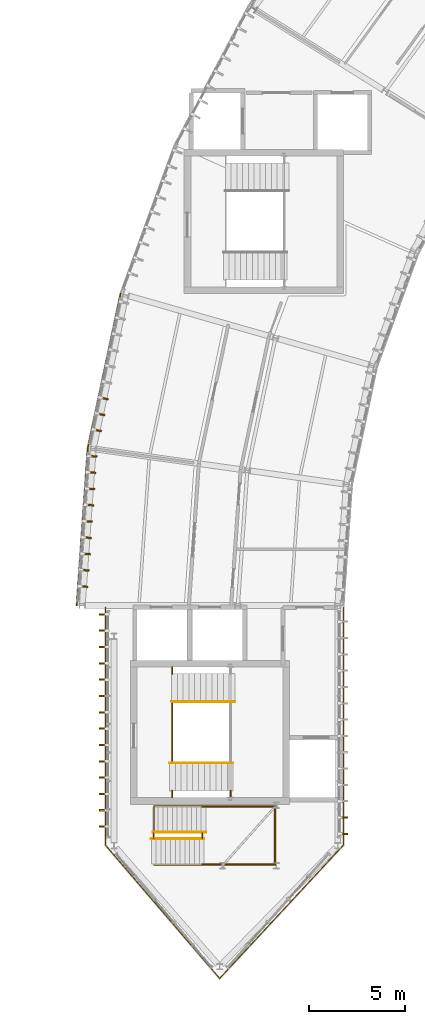
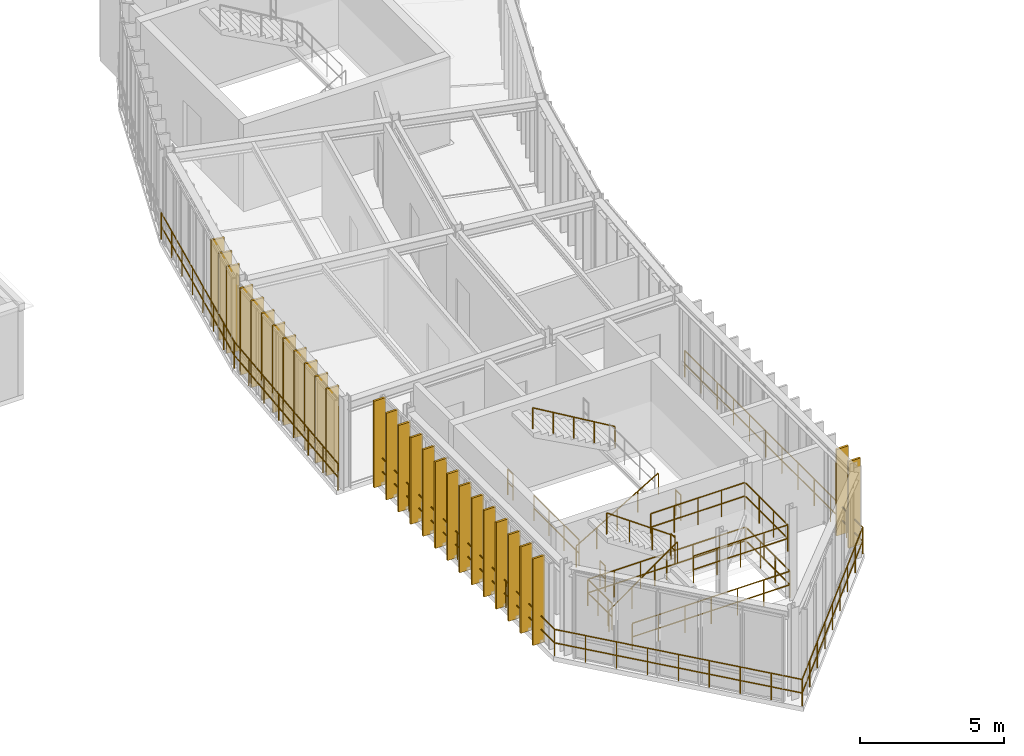
# One storey, part 36 of 42: 28 coverings, 16 railings.
"""IFC4 building model written with IfcOpenShell, lengths in metres."""

from ifc_helpers import new_model, si_unit, direction, frame, origin, origin_2d, place, context, subcontext, project, spatial, rectangle, circle, extrude, material, layer, layer_set, type_object, element, save


model = new_model("IFC4")

# Units and contexts
model_context = context("Model", 3, precision=1e-05, world=origin(), true_north=direction((0.0, 1.0)))
body_context = subcontext(model_context, "Body", "Model", "MODEL_VIEW")
ifc_project = project(units=[si_unit("LENGTHUNIT", "METRE"), si_unit("AREAUNIT", "SQUARE_METRE"), si_unit("VOLUMEUNIT", "CUBIC_METRE"), si_unit("PLANEANGLEUNIT", "RADIAN"), si_unit("MASSUNIT", "GRAM", prefix="KILO"), si_unit("THERMODYNAMICTEMPERATUREUNIT", "KELVIN"), si_unit("POWERUNIT", "WATT")], contexts=[model_context])

# Site, building, storey
site_placement = place(None, origin())
site = spatial("IfcSite", under=ifc_project, at=site_placement, CompositionType="ELEMENT")
building_placement = place(site_placement, origin())
building = spatial("IfcBuilding", under=site, at=building_placement, Name="Solvatero Civic Police Headquarters", CompositionType="ELEMENT")
storey_placement = place(building_placement, frame((0.0, 0.0, 21.60009765625)))
storey = spatial("IfcBuildingStorey", under=building, at=storey_placement, Name="L05", CompositionType="ELEMENT", Elevation=21.60009765625)

# Coverings
ifc_material_1 = material(Name="Anodized Bronze Aluminium", Category="aluminium")
ifc_layer = layer(ifc_material_1, 0.080078125)
ifc_layer_set = layer_set([ifc_layer], Name="Anodized Bronze Aluminium")
covering_type = type_object("IfcCoveringType", Name="COV-FIN-480", PredefinedType="CLADDING", material=ifc_layer_set)
for number, where, z_axis, x_axis, name in (
    (1, (36.45947265625, 36.790283203125, -0.02001953125), (0.0, 0.0, 1.0), (-0.207911690818, -0.978147600734, 0.0), "Vertical Brise-Soleil Fin 1164"),
    (2, (36.28271484375, 35.958984375, -0.02001953125), (0.0, 0.0, 1.0), (-0.207911690818, -0.978147600734, 0.0), "Vertical Brise-Soleil Fin 1165"),
    (3, (36.10595703125, 35.12744140625, -0.02001953125), (0.0, 0.0, 1.0), (-0.207911690818, -0.978147600734, 0.0), "Vertical Brise-Soleil Fin 1166"),
    (4, (35.8740234375, 33.77490234375, -0.02001953125), (0.0, 0.0, 1.0), (-0.069739062956, -0.997565267588, 0.0), "Vertical Brise-Soleil Fin 1174"),
    (5, (35.814697265625, 32.927001953125, -0.02001953125), (0.0, 0.0, 1.0), (-0.069739062956, -0.997565267588, 0.0), "Vertical Brise-Soleil Fin 1175"),
    (6, (35.755615234375, 32.0791015625, -0.02001953125), (0.0, 0.0, 1.0), (-0.069739062956, -0.997565267588, 0.0), "Vertical Brise-Soleil Fin 1176"),
    (7, (35.6962890625, 31.231201171875, -0.02001953125), (0.0, 0.0, 1.0), (-0.069739062956, -0.997565267588, 0.0), "Vertical Brise-Soleil Fin 1177"),
    (8, (35.636962890625, 30.383056640625, -0.02001953125), (0.0, 0.0, 1.0), (-0.069739062956, -0.997565267588, 0.0), "Vertical Brise-Soleil Fin 1178"),
    (9, (35.57763671875, 29.53515625, -0.02001953125), (0.0, 0.0, 1.0), (-0.069739062956, -0.997565267588, 0.0), "Vertical Brise-Soleil Fin 1179"),
    (10, (35.518310546875, 28.687255859375, -0.02001953125), (0.0, 0.0, 1.0), (-0.069739062956, -0.997565267588, 0.0), "Vertical Brise-Soleil Fin 1180"),
    (11, (35.458984375, 27.83935546875, -0.02001953125), (0.0, 0.0, 1.0), (-0.069739062956, -0.997565267588, 0.0), "Vertical Brise-Soleil Fin 1181"),
    (12, (35.39990234375, 26.991455078125, -0.02001953125), (0.0, 0.0, 1.0), (-0.069739062956, -0.997565267588, 0.0), "Vertical Brise-Soleil Fin 1182"),
    (13, (36.469970703125, 25.5400390625, -0.02001953125), (0.0, 0.0, 1.0), (0.0, -1.0, 0.0), "Vertical Brise-Soleil Fin 1190"),
    (14, (36.469970703125, 24.68994140625, -0.02001953125), (0.0, 0.0, 1.0), (0.0, -1.0, 0.0), "Vertical Brise-Soleil Fin 1191"),
    (15, (36.469970703125, 23.840087890625, -0.02001953125), (0.0, 0.0, 1.0), (0.0, -1.0, 0.0), "Vertical Brise-Soleil Fin 1192"),
    (16, (36.469970703125, 22.989990234375, -0.02001953125), (0.0, 0.0, 1.0), (0.0, -1.0, 0.0), "Vertical Brise-Soleil Fin 1193"),
    (17, (36.469970703125, 22.139892578125, -0.02001953125), (0.0, 0.0, 1.0), (0.0, -1.0, 0.0), "Vertical Brise-Soleil Fin 1194"),
    (18, (36.469970703125, 21.2900390625, -0.02001953125), (0.0, 0.0, 1.0), (0.0, -1.0, 0.0), "Vertical Brise-Soleil Fin 1195"),
    (19, (36.469970703125, 20.43994140625, -0.02001953125), (0.0, 0.0, 1.0), (0.0, -1.0, 0.0), "Vertical Brise-Soleil Fin 1196"),
    (20, (36.469970703125, 19.590087890625, -0.02001953125), (0.0, 0.0, 1.0), (0.0, -1.0, 0.0), "Vertical Brise-Soleil Fin 1197"),
    (21, (36.469970703125, 18.739990234375, -0.02001953125), (0.0, 0.0, 1.0), (0.0, -1.0, 0.0), "Vertical Brise-Soleil Fin 1198"),
    (22, (36.469970703125, 17.889892578125, -0.02001953125), (0.0, 0.0, 1.0), (0.0, -1.0, 0.0), "Vertical Brise-Soleil Fin 1199"),
    (23, (36.469970703125, 17.0400390625, -0.02001953125), (0.0, 0.0, 1.0), (0.0, -1.0, 0.0), "Vertical Brise-Soleil Fin 1200"),
    (24, (36.469970703125, 16.18994140625, -0.02001953125), (0.0, 0.0, 1.0), (0.0, -1.0, 0.0), "Vertical Brise-Soleil Fin 1201"),
    (25, (36.469970703125, 15.340087890625, -0.02001953125), (0.0, 0.0, 1.0), (0.0, -1.0, 0.0), "Vertical Brise-Soleil Fin 1202"),
    (26, (36.469970703125, 14.489990234375, -0.02001953125), (0.0, 0.0, 1.0), (0.0, -1.0, 0.0), "Vertical Brise-Soleil Fin 1203"),
    (27, (48.929931640625, 14.110107421875, -0.02001953125), (0.0, 0.0, 1.0), (0.0, 1.0, 0.0), "Vertical Brise-Soleil Fin 1204"),
    (28, (48.929931640625, 14.9599609375, -0.02001953125), (0.0, 0.0, 1.0), (0.0, 1.0, 0.0), "Vertical Brise-Soleil Fin 1205"),
):
    element("IfcCovering", number, at=place(storey_placement, frame(where, z_axis=z_axis, x_axis=x_axis)), inside=storey, type_object=covering_type, Name=name, PredefinedType="CLADDING", context=body_context, shape_type="SweptSolid", body=[
        extrude(rectangle(XDim=0.080078125, YDim=0.47998046875, at=origin_2d()), origin(), (0.0, 0.0, 1.0), 3.679931640625),
    ])

# Railings
ifc_material_2 = material(Name="Anodized Bronze and Laminated Glass", Category="glass")
railing_type_1 = type_object("IfcRailingType", Name="RL-BAL-115", PredefinedType="BALUSTRADE", material=ifc_material_2)
railing_1_placement = place(storey_placement, frame((39.080078125, 12.47998046875, 0.0)))
element("IfcRailing", 29, at=railing_1_placement, inside=storey, type_object=railing_type_1, Name="Prow Stair Well Balustrade L05 SE", PredefinedType="BALUSTRADE", context=body_context, shape_type="SweptSolid", body=[
    extrude(circle(Radius=0.02392578125, at=origin_2d()), frame((0.0, 0.0, 1.1259765625), z_axis=(1.0, 0.0, 0.0), x_axis=(0.0, 1.0, 0.0)), (0.0, 0.0, 1.0), 6.33984375),
    extrude(circle(Radius=0.02392578125, at=origin_2d()), frame((0.0, 0.0, 0.55078125), z_axis=(1.0, 0.0, 0.0), x_axis=(0.0, 1.0, 0.0)), (0.0, 0.0, 1.0), 6.33984375),
    extrude(circle(Radius=0.02392578125, at=origin_2d()), frame((6.33984375, 0.0, 1.1259765625), z_axis=(0.0, 1.0, 0.0), x_axis=(-1.0, 0.0, 0.0)), (0.0, 0.0, 1.0), 3.090087890625),
    extrude(circle(Radius=0.02392578125, at=origin_2d()), frame((6.33984375, 0.0, 0.55078125), z_axis=(0.0, 1.0, 0.0), x_axis=(-1.0, 0.0, 0.0)), (0.0, 0.0, 1.0), 3.090087890625),
    extrude(circle(Radius=0.02099609375, at=origin_2d()), origin(), (0.0, 0.0, 1.0), 1.101806640625),
    extrude(circle(Radius=0.02099609375, at=origin_2d()), frame((1.056640625, 0.0, 0.0)), (0.0, 0.0, 1.0), 1.101806640625),
    extrude(circle(Radius=0.02099609375, at=origin_2d()), frame((2.11328125, 0.0, 0.0)), (0.0, 0.0, 1.0), 1.101806640625),
    extrude(circle(Radius=0.02099609375, at=origin_2d()), frame((3.169921875, 0.0, 0.0)), (0.0, 0.0, 1.0), 1.101806640625),
    extrude(circle(Radius=0.02099609375, at=origin_2d()), frame((4.2265625, 0.0, 0.0)), (0.0, 0.0, 1.0), 1.101806640625),
    extrude(circle(Radius=0.02099609375, at=origin_2d()), frame((5.283203125, 0.0, 0.0)), (0.0, 0.0, 1.0), 1.101806640625),
    extrude(circle(Radius=0.02099609375, at=origin_2d()), frame((6.33984375, 0.0, 0.0)), (0.0, 0.0, 1.0), 1.101806640625),
    extrude(circle(Radius=0.02099609375, at=origin_2d()), frame((6.33984375, 1.030029296875, 0.0)), (0.0, 0.0, 1.0), 1.101806640625),
    extrude(circle(Radius=0.02099609375, at=origin_2d()), frame((6.33984375, 2.06005859375, 0.0)), (0.0, 0.0, 1.0), 1.101806640625),
    extrude(circle(Radius=0.02099609375, at=origin_2d()), frame((6.33984375, 3.090087890625, 0.0)), (0.0, 0.0, 1.0), 1.101806640625),
])
railing_2_placement = place(storey_placement, frame((45.419921875, 15.570068359375, 0.0)))
element("IfcRailing", 30, at=railing_2_placement, inside=storey, type_object=railing_type_1, Name="Prow Stair Well Balustrade L05 NW", PredefinedType="BALUSTRADE", context=body_context, shape_type="SweptSolid", body=[
    extrude(circle(Radius=0.02392578125, at=origin_2d()), frame((0.0, 0.0, 1.1259765625), z_axis=(-1.0, 0.0, 0.0), x_axis=(0.0, -1.0, 0.0)), (0.0, 0.0, 1.0), 6.33984375),
    extrude(circle(Radius=0.02392578125, at=origin_2d()), frame((0.0, 0.0, 0.55078125), z_axis=(-1.0, 0.0, 0.0), x_axis=(0.0, -1.0, 0.0)), (0.0, 0.0, 1.0), 6.33984375),
    extrude(circle(Radius=0.02392578125, at=origin_2d()), frame((-6.33984375, 0.0, 1.1259765625), z_axis=(0.0, -1.0, 0.0), x_axis=(1.0, 0.0, 0.0)), (0.0, 0.0, 1.0), 1.41015625),
    extrude(circle(Radius=0.02392578125, at=origin_2d()), frame((-6.33984375, 0.0, 0.55078125), z_axis=(0.0, -1.0, 0.0), x_axis=(1.0, 0.0, 0.0)), (0.0, 0.0, 1.0), 1.41015625),
    extrude(circle(Radius=0.02099609375, at=origin_2d()), origin(), (0.0, 0.0, 1.0), 1.101806640625),
    extrude(circle(Radius=0.02099609375, at=origin_2d()), frame((-1.056640625, 0.0, 0.0)), (0.0, 0.0, 1.0), 1.101806640625),
    extrude(circle(Radius=0.02099609375, at=origin_2d()), frame((-2.11328125, 0.0, 0.0)), (0.0, 0.0, 1.0), 1.101806640625),
    extrude(circle(Radius=0.02099609375, at=origin_2d()), frame((-3.169921875, 0.0, 0.0)), (0.0, 0.0, 1.0), 1.101806640625),
    extrude(circle(Radius=0.02099609375, at=origin_2d()), frame((-4.2265625, 0.0, 0.0)), (0.0, 0.0, 1.0), 1.101806640625),
    extrude(circle(Radius=0.02099609375, at=origin_2d()), frame((-5.283203125, 0.0, 0.0)), (0.0, 0.0, 1.0), 1.101806640625),
    extrude(circle(Radius=0.02099609375, at=origin_2d()), frame((-6.33984375, 0.0, 0.0)), (0.0, 0.0, 1.0), 1.101806640625),
    extrude(circle(Radius=0.02099609375, at=origin_2d()), frame((-6.33984375, -0.705078125, 0.0)), (0.0, 0.0, 1.0), 1.101806640625),
    extrude(circle(Radius=0.02099609375, at=origin_2d()), frame((-6.33984375, -1.41015625, 0.0)), (0.0, 0.0, 1.0), 1.101806640625),
])
railing_3_placement = place(storey_placement, frame((39.080078125, 13.8798828125, 0.0)))
element("IfcRailing", 31, at=railing_3_placement, inside=storey, type_object=railing_type_1, Name="Prow Stair Well West Slot L05", PredefinedType="BALUSTRADE", context=body_context, shape_type="SweptSolid", body=[
    extrude(circle(Radius=0.02392578125, at=origin_2d()), frame((0.0, 0.0, 1.1259765625), z_axis=(0.0, 1.0, 0.0), x_axis=(-1.0, 0.0, 0.0)), (0.0, 0.0, 1.0), 0.280029296875),
    extrude(circle(Radius=0.02392578125, at=origin_2d()), frame((0.0, 0.0, 0.55078125), z_axis=(0.0, 1.0, 0.0), x_axis=(-1.0, 0.0, 0.0)), (0.0, 0.0, 1.0), 0.280029296875),
    extrude(circle(Radius=0.02099609375, at=origin_2d()), origin(), (0.0, 0.0, 1.0), 1.101806640625),
    extrude(circle(Radius=0.02099609375, at=origin_2d()), frame((0.0, 0.280029296875, 0.0)), (0.0, 0.0, 1.0), 1.101806640625),
])
railing_4_placement = place(storey_placement, frame((41.570068359375, 12.5400390625, 1.949951171875)))
element("IfcRailing", 32, at=railing_4_placement, inside=storey, type_object=railing_type_1, Name="ST-PRW L05 Half-Landing Balustrade", PredefinedType="BALUSTRADE", context=body_context, shape_type="SweptSolid", body=[
    extrude(circle(Radius=0.02392578125, at=origin_2d()), frame((0.0, 0.0, 1.1259765625), z_axis=(1.0, 0.0, 0.0), x_axis=(0.0, 1.0, 0.0)), (0.0, 0.0, 1.0), 3.7900390625),
    extrude(circle(Radius=0.02392578125, at=origin_2d()), frame((0.0, 0.0, 0.55078125), z_axis=(1.0, 0.0, 0.0), x_axis=(0.0, 1.0, 0.0)), (0.0, 0.0, 1.0), 3.7900390625),
    extrude(circle(Radius=0.02392578125, at=origin_2d()), frame((3.7900390625, 0.0, 1.1259765625), z_axis=(0.0, 1.0, 0.0), x_axis=(-1.0, 0.0, 0.0)), (0.0, 0.0, 1.0), 2.969970703125),
    extrude(circle(Radius=0.02392578125, at=origin_2d()), frame((3.7900390625, 0.0, 0.55078125), z_axis=(0.0, 1.0, 0.0), x_axis=(-1.0, 0.0, 0.0)), (0.0, 0.0, 1.0), 2.969970703125),
    extrude(circle(Radius=0.02392578125, at=origin_2d()), frame((3.7900390625, 2.969970703125, 1.1259765625), z_axis=(-1.0, 0.0, 0.0), x_axis=(0.0, -1.0, 0.0)), (0.0, 0.0, 1.0), 3.7900390625),
    extrude(circle(Radius=0.02392578125, at=origin_2d()), frame((3.7900390625, 2.969970703125, 0.55078125), z_axis=(-1.0, 0.0, 0.0), x_axis=(0.0, -1.0, 0.0)), (0.0, 0.0, 1.0), 3.7900390625),
    extrude(circle(Radius=0.02099609375, at=origin_2d()), origin(), (0.0, 0.0, 1.0), 1.101806640625),
    extrude(circle(Radius=0.02099609375, at=origin_2d()), frame((0.947509765625, 0.0, 0.0)), (0.0, 0.0, 1.0), 1.101806640625),
    extrude(circle(Radius=0.02099609375, at=origin_2d()), frame((1.89501953125, 0.0, 0.0)), (0.0, 0.0, 1.0), 1.101806640625),
    extrude(circle(Radius=0.02099609375, at=origin_2d()), frame((2.842529296875, 0.0, 0.0)), (0.0, 0.0, 1.0), 1.101806640625),
    extrude(circle(Radius=0.02099609375, at=origin_2d()), frame((3.7900390625, 0.0, 0.0)), (0.0, 0.0, 1.0), 1.101806640625),
    extrude(circle(Radius=0.02099609375, at=origin_2d()), frame((3.7900390625, 0.989990234375, 0.0)), (0.0, 0.0, 1.0), 1.101806640625),
    extrude(circle(Radius=0.02099609375, at=origin_2d()), frame((3.7900390625, 1.97998046875, 0.0)), (0.0, 0.0, 1.0), 1.101806640625),
    extrude(circle(Radius=0.02099609375, at=origin_2d()), frame((3.7900390625, 2.969970703125, 0.0)), (0.0, 0.0, 1.0), 1.101806640625),
    extrude(circle(Radius=0.02099609375, at=origin_2d()), frame((2.842529296875, 2.969970703125, 0.0)), (0.0, 0.0, 1.0), 1.101806640625),
    extrude(circle(Radius=0.02099609375, at=origin_2d()), frame((1.89501953125, 2.969970703125, 0.0)), (0.0, 0.0, 1.0), 1.101806640625),
    extrude(circle(Radius=0.02099609375, at=origin_2d()), frame((0.947509765625, 2.969970703125, 0.0)), (0.0, 0.0, 1.0), 1.101806640625),
    extrude(circle(Radius=0.02099609375, at=origin_2d()), frame((0.0, 2.969970703125, 0.0)), (0.0, 0.0, 1.0), 1.101806640625),
])
railing_5_placement = place(storey_placement, frame((36.56005859375, 25.89990234375, 0.0)))
element("IfcRailing", 33, at=railing_5_placement, inside=storey, type_object=railing_type_1, Name="Glazed Facade Sill Balustrade RL-L05-PROW-PERIM", PredefinedType="BALUSTRADE", context=body_context, shape_type="SweptSolid", body=[
    extrude(circle(Radius=0.02392578125, at=origin_2d()), frame((0.0, 0.0, 1.1259765625), z_axis=(0.0, -1.0, 0.0), x_axis=(1.0, 0.0, 0.0)), (0.0, 0.0, 1.0), 12.3798828125),
    extrude(circle(Radius=0.02392578125, at=origin_2d()), frame((0.0, 0.0, 0.55078125), z_axis=(0.0, -1.0, 0.0), x_axis=(1.0, 0.0, 0.0)), (0.0, 0.0, 1.0), 12.3798828125),
    extrude(circle(Radius=0.02392578125, at=origin_2d()), frame((0.0, -12.3798828125, 1.1259765625), z_axis=(0.65024976551, -0.759720502852, 0.0), x_axis=(0.759720502852, 0.65024976551, 0.0)), (0.0, 0.0, 1.0), 9.134765625),
    extrude(circle(Radius=0.02392578125, at=origin_2d()), frame((0.0, -12.3798828125, 0.55078125), z_axis=(0.65024976551, -0.759720502852, 0.0), x_axis=(0.759720502852, 0.65024976551, 0.0)), (0.0, 0.0, 1.0), 9.134765625),
    extrude(circle(Radius=0.02392578125, at=origin_2d()), frame((5.93994140625, -19.31982421875, 1.1259765625), z_axis=(0.680207746239, 0.733019387163, 0.0), x_axis=(-0.733019387163, 0.680207746239, 0.0)), (0.0, 0.0, 1.0), 9.467529296875),
    extrude(circle(Radius=0.02392578125, at=origin_2d()), frame((5.93994140625, -19.31982421875, 0.55078125), z_axis=(0.680207746239, 0.733019387163, 0.0), x_axis=(-0.733019387163, 0.680207746239, 0.0)), (0.0, 0.0, 1.0), 9.467529296875),
    extrude(circle(Radius=0.02392578125, at=origin_2d()), frame((12.3798828125, -12.3798828125, 1.1259765625), z_axis=(0.0, 1.0, 0.0), x_axis=(-1.0, 0.0, 0.0)), (0.0, 0.0, 1.0), 12.3798828125),
    extrude(circle(Radius=0.02392578125, at=origin_2d()), frame((12.3798828125, -12.3798828125, 0.55078125), z_axis=(0.0, 1.0, 0.0), x_axis=(-1.0, 0.0, 0.0)), (0.0, 0.0, 1.0), 12.3798828125),
    extrude(circle(Radius=0.02099609375, at=origin_2d()), origin(), (0.0, 0.0, 1.0), 1.101806640625),
    extrude(circle(Radius=0.02099609375, at=origin_2d()), frame((0.0, -1.12548828125, 0.0)), (0.0, 0.0, 1.0), 1.101806640625),
    extrude(circle(Radius=0.02099609375, at=origin_2d()), frame((0.0, -2.2509765625, 0.0)), (0.0, 0.0, 1.0), 1.101806640625),
    extrude(circle(Radius=0.02099609375, at=origin_2d()), frame((0.0, -3.376220703125, 0.0)), (0.0, 0.0, 1.0), 1.101806640625),
    extrude(circle(Radius=0.02099609375, at=origin_2d()), frame((0.0, -4.501708984375, 0.0)), (0.0, 0.0, 1.0), 1.101806640625),
    extrude(circle(Radius=0.02099609375, at=origin_2d()), frame((0.0, -5.627197265625, 0.0)), (0.0, 0.0, 1.0), 1.101806640625),
    extrude(circle(Radius=0.02099609375, at=origin_2d()), frame((0.0, -6.752685546875, 0.0)), (0.0, 0.0, 1.0), 1.101806640625),
    extrude(circle(Radius=0.02099609375, at=origin_2d()), frame((0.0, -7.878173828125, 0.0)), (0.0, 0.0, 1.0), 1.101806640625),
    extrude(circle(Radius=0.02099609375, at=origin_2d()), frame((0.0, -9.003662109375, 0.0)), (0.0, 0.0, 1.0), 1.101806640625),
    extrude(circle(Radius=0.02099609375, at=origin_2d()), frame((0.0, -10.12890625, 0.0)), (0.0, 0.0, 1.0), 1.101806640625),
    extrude(circle(Radius=0.02099609375, at=origin_2d()), frame((0.0, -11.25439453125, 0.0)), (0.0, 0.0, 1.0), 1.101806640625),
    extrude(circle(Radius=0.02099609375, at=origin_2d()), frame((0.0, -12.3798828125, 0.0)), (0.0, 0.0, 1.0), 1.101806640625),
    extrude(circle(Radius=0.02099609375, at=origin_2d()), frame((0.742431640625, -13.247314453125, 0.0)), (0.0, 0.0, 1.0), 1.101806640625),
    extrude(circle(Radius=0.02099609375, at=origin_2d()), frame((1.48486328125, -14.11474609375, 0.0)), (0.0, 0.0, 1.0), 1.101806640625),
    extrude(circle(Radius=0.02099609375, at=origin_2d()), frame((2.2275390625, -14.982421875, 0.0)), (0.0, 0.0, 1.0), 1.101806640625),
    extrude(circle(Radius=0.02099609375, at=origin_2d()), frame((2.969970703125, -15.849853515625, 0.0)), (0.0, 0.0, 1.0), 1.101806640625),
    extrude(circle(Radius=0.02099609375, at=origin_2d()), frame((3.71240234375, -16.71728515625, 0.0)), (0.0, 0.0, 1.0), 1.101806640625),
    extrude(circle(Radius=0.02099609375, at=origin_2d()), frame((4.455078125, -17.5849609375, 0.0)), (0.0, 0.0, 1.0), 1.101806640625),
    extrude(circle(Radius=0.02099609375, at=origin_2d()), frame((5.197509765625, -18.452392578125, 0.0)), (0.0, 0.0, 1.0), 1.101806640625),
    extrude(circle(Radius=0.02099609375, at=origin_2d()), frame((5.93994140625, -19.31982421875, 0.0)), (0.0, 0.0, 1.0), 1.101806640625),
    extrude(circle(Radius=0.02099609375, at=origin_2d()), frame((6.744873046875, -18.452392578125, 0.0)), (0.0, 0.0, 1.0), 1.101806640625),
    extrude(circle(Radius=0.02099609375, at=origin_2d()), frame((7.5498046875, -17.5849609375, 0.0)), (0.0, 0.0, 1.0), 1.101806640625),
    extrude(circle(Radius=0.02099609375, at=origin_2d()), frame((8.35498046875, -16.71728515625, 0.0)), (0.0, 0.0, 1.0), 1.101806640625),
    extrude(circle(Radius=0.02099609375, at=origin_2d()), frame((9.159912109375, -15.849853515625, 0.0)), (0.0, 0.0, 1.0), 1.101806640625),
    extrude(circle(Radius=0.02099609375, at=origin_2d()), frame((9.96484375, -14.982421875, 0.0)), (0.0, 0.0, 1.0), 1.101806640625),
    extrude(circle(Radius=0.02099609375, at=origin_2d()), frame((10.77001953125, -14.11474609375, 0.0)), (0.0, 0.0, 1.0), 1.101806640625),
    extrude(circle(Radius=0.02099609375, at=origin_2d()), frame((11.574951171875, -13.247314453125, 0.0)), (0.0, 0.0, 1.0), 1.101806640625),
    extrude(circle(Radius=0.02099609375, at=origin_2d()), frame((12.3798828125, -12.3798828125, 0.0)), (0.0, 0.0, 1.0), 1.101806640625),
    extrude(circle(Radius=0.02099609375, at=origin_2d()), frame((12.3798828125, -11.25439453125, 0.0)), (0.0, 0.0, 1.0), 1.101806640625),
    extrude(circle(Radius=0.02099609375, at=origin_2d()), frame((12.3798828125, -10.12890625, 0.0)), (0.0, 0.0, 1.0), 1.101806640625),
    extrude(circle(Radius=0.02099609375, at=origin_2d()), frame((12.3798828125, -9.003662109375, 0.0)), (0.0, 0.0, 1.0), 1.101806640625),
    extrude(circle(Radius=0.02099609375, at=origin_2d()), frame((12.3798828125, -7.878173828125, 0.0)), (0.0, 0.0, 1.0), 1.101806640625),
    extrude(circle(Radius=0.02099609375, at=origin_2d()), frame((12.3798828125, -6.752685546875, 0.0)), (0.0, 0.0, 1.0), 1.101806640625),
    extrude(circle(Radius=0.02099609375, at=origin_2d()), frame((12.3798828125, -5.627197265625, 0.0)), (0.0, 0.0, 1.0), 1.101806640625),
    extrude(circle(Radius=0.02099609375, at=origin_2d()), frame((12.3798828125, -4.501708984375, 0.0)), (0.0, 0.0, 1.0), 1.101806640625),
    extrude(circle(Radius=0.02099609375, at=origin_2d()), frame((12.3798828125, -3.376220703125, 0.0)), (0.0, 0.0, 1.0), 1.101806640625),
    extrude(circle(Radius=0.02099609375, at=origin_2d()), frame((12.3798828125, -2.2509765625, 0.0)), (0.0, 0.0, 1.0), 1.101806640625),
    extrude(circle(Radius=0.02099609375, at=origin_2d()), frame((12.3798828125, -1.12548828125, 0.0)), (0.0, 0.0, 1.0), 1.101806640625),
    extrude(circle(Radius=0.02099609375, at=origin_2d()), frame((12.3798828125, 0.0, 0.0)), (0.0, 0.0, 1.0), 1.101806640625),
])
railing_6_placement = place(storey_placement, frame((37.34326171875, 42.24609375, 0.0)))
element("IfcRailing", 34, at=railing_6_placement, inside=storey, type_object=railing_type_1, Name="Glazed Facade Sill Balustrade RL-L05-ARCOUT-B11", PredefinedType="BALUSTRADE", context=body_context, shape_type="SweptSolid", body=[
    extrude(circle(Radius=0.02392578125, at=origin_2d()), frame((0.0, 0.0, 1.1259765625), z_axis=(-0.207920896775, -0.978145643902, 0.0), x_axis=(0.978145643902, -0.207920896775, 0.0)), (0.0, 0.0, 1.0), 8.222900390625),
    extrude(circle(Radius=0.02392578125, at=origin_2d()), frame((0.0, 0.0, 0.55078125), z_axis=(-0.207920896775, -0.978145643902, 0.0), x_axis=(0.978145643902, -0.207920896775, 0.0)), (0.0, 0.0, 1.0), 8.222900390625),
    extrude(circle(Radius=0.02099609375, at=origin_2d()), origin(), (0.0, 0.0, 1.0), 1.101806640625),
    extrude(circle(Radius=0.02099609375, at=origin_2d()), frame((-0.244140625, -1.14892578125, 0.0)), (0.0, 0.0, 1.0), 1.101806640625),
    extrude(circle(Radius=0.02099609375, at=origin_2d()), frame((-0.488525390625, -2.298095703125, 0.0)), (0.0, 0.0, 1.0), 1.101806640625),
    extrude(circle(Radius=0.02099609375, at=origin_2d()), frame((-0.732666015625, -3.447021484375, 0.0)), (0.0, 0.0, 1.0), 1.101806640625),
    extrude(circle(Radius=0.02099609375, at=origin_2d()), frame((-0.97705078125, -4.59619140625, 0.0)), (0.0, 0.0, 1.0), 1.101806640625),
    extrude(circle(Radius=0.02099609375, at=origin_2d()), frame((-1.22119140625, -5.7451171875, 0.0)), (0.0, 0.0, 1.0), 1.101806640625),
    extrude(circle(Radius=0.02099609375, at=origin_2d()), frame((-1.465576171875, -6.894287109375, 0.0)), (0.0, 0.0, 1.0), 1.101806640625),
    extrude(circle(Radius=0.02099609375, at=origin_2d()), frame((-1.709716796875, -8.043212890625, 0.0)), (0.0, 0.0, 1.0), 1.101806640625),
])
railing_7_placement = place(storey_placement, frame((35.633544921875, 34.202880859375, 0.0)))
element("IfcRailing", 35, at=railing_7_placement, inside=storey, type_object=railing_type_1, Name="Glazed Facade Sill Balustrade RL-L05-ARCOUT-B12", PredefinedType="BALUSTRADE", context=body_context, shape_type="SweptSolid", body=[
    extrude(circle(Radius=0.02392578125, at=origin_2d()), frame((0.0, 0.0, 1.1259765625), z_axis=(-0.069742558988, -0.997565023177, 0.0), x_axis=(0.997565023177, -0.069742558988, 0.0)), (0.0, 0.0, 1.0), 8.222900390625),
    extrude(circle(Radius=0.02392578125, at=origin_2d()), frame((0.0, 0.0, 0.55078125), z_axis=(-0.069742558988, -0.997565023177, 0.0), x_axis=(0.997565023177, -0.069742558988, 0.0)), (0.0, 0.0, 1.0), 8.222900390625),
    extrude(circle(Radius=0.02099609375, at=origin_2d()), origin(), (0.0, 0.0, 1.0), 1.101806640625),
    extrude(circle(Radius=0.02099609375, at=origin_2d()), frame((-0.08203125, -1.171875, 0.0)), (0.0, 0.0, 1.0), 1.101806640625),
    extrude(circle(Radius=0.02099609375, at=origin_2d()), frame((-0.163818359375, -2.34375, 0.0)), (0.0, 0.0, 1.0), 1.101806640625),
    extrude(circle(Radius=0.02099609375, at=origin_2d()), frame((-0.245849609375, -3.515625, 0.0)), (0.0, 0.0, 1.0), 1.101806640625),
    extrude(circle(Radius=0.02099609375, at=origin_2d()), frame((-0.32763671875, -4.687255859375, 0.0)), (0.0, 0.0, 1.0), 1.101806640625),
    extrude(circle(Radius=0.02099609375, at=origin_2d()), frame((-0.40966796875, -5.859130859375, 0.0)), (0.0, 0.0, 1.0), 1.101806640625),
    extrude(circle(Radius=0.02099609375, at=origin_2d()), frame((-0.491455078125, -7.031005859375, 0.0)), (0.0, 0.0, 1.0), 1.101806640625),
    extrude(circle(Radius=0.02099609375, at=origin_2d()), frame((-0.573486328125, -8.202880859375, 0.0)), (0.0, 0.0, 1.0), 1.101806640625),
])
ifc_material_3 = material(Name="Painted Galvanized Steel", Category="steel")
railing_type_2 = type_object("IfcRailingType", Name="RL-GRD-110", PredefinedType="GUARDRAIL", material=ifc_material_3)
railing_8_placement = place(storey_placement, frame((40.030029296875, 17.830078125, 0.0)))
element("IfcRailing", 36, at=railing_8_placement, inside=storey, type_object=railing_type_2, Name="ST-C1 L05 Floor Well Guardrail", PredefinedType="GUARDRAIL", context=body_context, shape_type="SweptSolid", body=[
    extrude(circle(Radius=0.02392578125, at=origin_2d()), frame((0.0, 0.0, 1.09619140625), z_axis=(0.0, 1.0, 0.0), x_axis=(-1.0, 0.0, 0.0)), (0.0, 0.0, 1.0), 3.139892578125),
    extrude(circle(Radius=0.02392578125, at=origin_2d()), frame((0.0, 0.0, 0.5361328125), z_axis=(0.0, 1.0, 0.0), x_axis=(-1.0, 0.0, 0.0)), (0.0, 0.0, 1.0), 3.139892578125),
    extrude(circle(Radius=0.02099609375, at=origin_2d()), origin(), (0.0, 0.0, 1.0), 1.072021484375),
    extrude(circle(Radius=0.02099609375, at=origin_2d()), frame((0.0, 1.046630859375, 0.0)), (0.0, 0.0, 1.0), 1.072021484375),
    extrude(circle(Radius=0.02099609375, at=origin_2d()), frame((0.0, 2.09326171875, 0.0)), (0.0, 0.0, 1.0), 1.072021484375),
    extrude(circle(Radius=0.02099609375, at=origin_2d()), frame((0.0, 3.139892578125, 0.0)), (0.0, 0.0, 1.0), 1.072021484375),
])
for number, where, name in (
    (37, (40.030029296875, 16.010009765625, 0.0), "ST-C1 L05 Floor Well South Slot Guardrail"),
    (38, (40.030029296875, 22.429931640625, 0.0), "ST-C1 L05 Floor Well North Slot Guardrail"),
    (39, (43.070068359375, 16.010009765625, 1.949951171875), "ST-C1 L05 Half-Landing South Slot Guardrail"),
):
    element("IfcRailing", number, at=place(storey_placement, frame(where)), inside=storey, type_object=railing_type_2, Name=name, PredefinedType="GUARDRAIL", context=body_context, shape_type="SweptSolid", body=[
        extrude(circle(Radius=0.02392578125, at=origin_2d()), frame((0.0, 0.0, 1.09619140625), z_axis=(0.0, 1.0, 0.0), x_axis=(-1.0, 0.0, 0.0)), (0.0, 0.0, 1.0), 0.360107421875),
        extrude(circle(Radius=0.02392578125, at=origin_2d()), frame((0.0, 0.0, 0.5361328125), z_axis=(0.0, 1.0, 0.0), x_axis=(-1.0, 0.0, 0.0)), (0.0, 0.0, 1.0), 0.360107421875),
        extrude(circle(Radius=0.02099609375, at=origin_2d()), origin(), (0.0, 0.0, 1.0), 1.072021484375),
        extrude(circle(Radius=0.02099609375, at=origin_2d()), frame((0.0, 0.360107421875, 0.0)), (0.0, 0.0, 1.0), 1.072021484375),
    ])
railing_9_placement = place(storey_placement, frame((41.60009765625, 13.8798828125, 1.949951171875)))
element("IfcRailing", 40, at=railing_9_placement, inside=storey, type_object=railing_type_2, Name="ST-PRW L05 Half-Landing Slot Guardrail", PredefinedType="GUARDRAIL", context=body_context, shape_type="SweptSolid", body=[
    extrude(circle(Radius=0.02392578125, at=origin_2d()), frame((0.0, 0.0, 1.09619140625), z_axis=(0.0, 1.0, 0.0), x_axis=(-1.0, 0.0, 0.0)), (0.0, 0.0, 1.0), 0.280029296875),
    extrude(circle(Radius=0.02392578125, at=origin_2d()), frame((0.0, 0.0, 0.5361328125), z_axis=(0.0, 1.0, 0.0), x_axis=(-1.0, 0.0, 0.0)), (0.0, 0.0, 1.0), 0.280029296875),
    extrude(circle(Radius=0.02099609375, at=origin_2d()), origin(), (0.0, 0.0, 1.0), 1.072021484375),
    extrude(circle(Radius=0.02099609375, at=origin_2d()), frame((0.0, 0.280029296875, 0.0)), (0.0, 0.0, 1.0), 1.072021484375),
])
ifc_material_4 = material(Name="Brushed Stainless Steel", Category="steel")
railing_type_3 = type_object("IfcRailingType", Name="RL-HND-092", PredefinedType="HANDRAIL", material=ifc_material_4)
railing_10_placement = place(storey_placement, frame((39.89990234375, 17.800048828125, 0.0)))
element("IfcRailing", 41, at=railing_10_placement, inside=storey, type_object=railing_type_3, Name="ST-C1 L05 Flight 1 Handrail", PredefinedType="HANDRAIL", context=body_context, shape_type="SweptSolid", body=[
    extrude(circle(Radius=0.02392578125, at=origin_2d()), frame((0.0, 0.0, 0.89599609375), z_axis=(0.860935404107, 0.0, 0.508714291086), x_axis=(0.0, 1.0, 0.0)), (0.0, 0.0, 1.0), 3.8330078125),
    extrude(circle(Radius=0.02099609375, at=origin_2d()), origin(), (0.0, 0.0, 1.0), 0.871826171875),
    extrude(circle(Radius=0.02099609375, at=origin_2d()), frame((0.824951171875, 0.0, 0.487548828125)), (0.0, 0.0, 1.0), 0.871826171875),
    extrude(circle(Radius=0.02099609375, at=origin_2d()), frame((1.64990234375, 0.0, 0.97509765625)), (0.0, 0.0, 1.0), 0.871826171875),
    extrude(circle(Radius=0.02099609375, at=origin_2d()), frame((2.47509765625, 0.0, 1.46240234375)), (0.0, 0.0, 1.0), 0.871826171875),
    extrude(circle(Radius=0.02099609375, at=origin_2d()), frame((3.300048828125, 0.0, 1.949951171875)), (0.0, 0.0, 1.0), 0.871826171875),
])
railing_11_placement = place(storey_placement, frame((43.300048828125, 21.0, 1.949951171875)))
element("IfcRailing", 42, at=railing_11_placement, inside=storey, type_object=railing_type_3, Name="ST-C1 L05 Flight 2 Handrail", PredefinedType="HANDRAIL", context=body_context, shape_type="SweptSolid", body=[
    extrude(circle(Radius=0.02392578125, at=origin_2d()), frame((0.0, 0.0, 0.89599609375), z_axis=(-0.860935404107, 0.0, 0.508714291086), x_axis=(0.0, -1.0, 0.0)), (0.0, 0.0, 1.0), 3.8330078125),
    extrude(circle(Radius=0.02099609375, at=origin_2d()), origin(), (0.0, 0.0, 1.0), 0.871826171875),
    extrude(circle(Radius=0.02099609375, at=origin_2d()), frame((-0.824951171875, 0.0, 0.487548828125)), (0.0, 0.0, 1.0), 0.871826171875),
    extrude(circle(Radius=0.02099609375, at=origin_2d()), frame((-1.64990234375, 0.0, 0.97509765625)), (0.0, 0.0, 1.0), 0.871826171875),
    extrude(circle(Radius=0.02099609375, at=origin_2d()), frame((-2.47509765625, 0.0, 1.46240234375)), (0.0, 0.0, 1.0), 0.871826171875),
    extrude(circle(Radius=0.02099609375, at=origin_2d()), frame((-3.300048828125, 0.0, 1.949951171875)), (0.0, 0.0, 1.0), 0.871826171875),
])
railing_12_placement = place(storey_placement, frame((38.93994140625, 13.85009765625, 0.0)))
element("IfcRailing", 43, at=railing_12_placement, inside=storey, type_object=railing_type_3, Name="ST-PRW L05 Flight 1 Handrail", PredefinedType="HANDRAIL", context=body_context, shape_type="SweptSolid", body=[
    extrude(circle(Radius=0.02392578125, at=origin_2d()), frame((0.0, 0.0, 0.89599609375), z_axis=(0.815739725205, 0.0, 0.578419139312), x_axis=(0.0, 1.0, 0.0)), (0.0, 0.0, 1.0), 3.37109375),
    extrude(circle(Radius=0.02099609375, at=origin_2d()), origin(), (0.0, 0.0, 1.0), 0.871826171875),
    extrude(circle(Radius=0.02099609375, at=origin_2d()), frame((0.916748046875, 0.0, 0.64990234375)), (0.0, 0.0, 1.0), 0.871826171875),
    extrude(circle(Radius=0.02099609375, at=origin_2d()), frame((1.833251953125, 0.0, 1.300048828125)), (0.0, 0.0, 1.0), 0.871826171875),
    extrude(circle(Radius=0.02099609375, at=origin_2d()), frame((2.75, 0.0, 1.949951171875)), (0.0, 0.0, 1.0), 0.871826171875),
])
railing_13_placement = place(storey_placement, frame((41.7900390625, 14.18994140625, 1.949951171875)))
element("IfcRailing", 44, at=railing_13_placement, inside=storey, type_object=railing_type_3, Name="ST-PRW L05 Flight 2 Handrail", PredefinedType="HANDRAIL", context=body_context, shape_type="SweptSolid", body=[
    extrude(circle(Radius=0.02392578125, at=origin_2d()), frame((0.0, 0.0, 0.89599609375), z_axis=(-0.815739725205, 0.0, 0.578419139312), x_axis=(0.0, -1.0, 0.0)), (0.0, 0.0, 1.0), 3.37109375),
    extrude(circle(Radius=0.02099609375, at=origin_2d()), origin(), (0.0, 0.0, 1.0), 0.871826171875),
    extrude(circle(Radius=0.02099609375, at=origin_2d()), frame((-0.916748046875, 0.0, 0.64990234375)), (0.0, 0.0, 1.0), 0.871826171875),
    extrude(circle(Radius=0.02099609375, at=origin_2d()), frame((-1.833251953125, 0.0, 1.300048828125)), (0.0, 0.0, 1.0), 0.871826171875),
    extrude(circle(Radius=0.02099609375, at=origin_2d()), frame((-2.75, 0.0, 1.949951171875)), (0.0, 0.0, 1.0), 0.871826171875),
])

save(model, "model.ifc")
